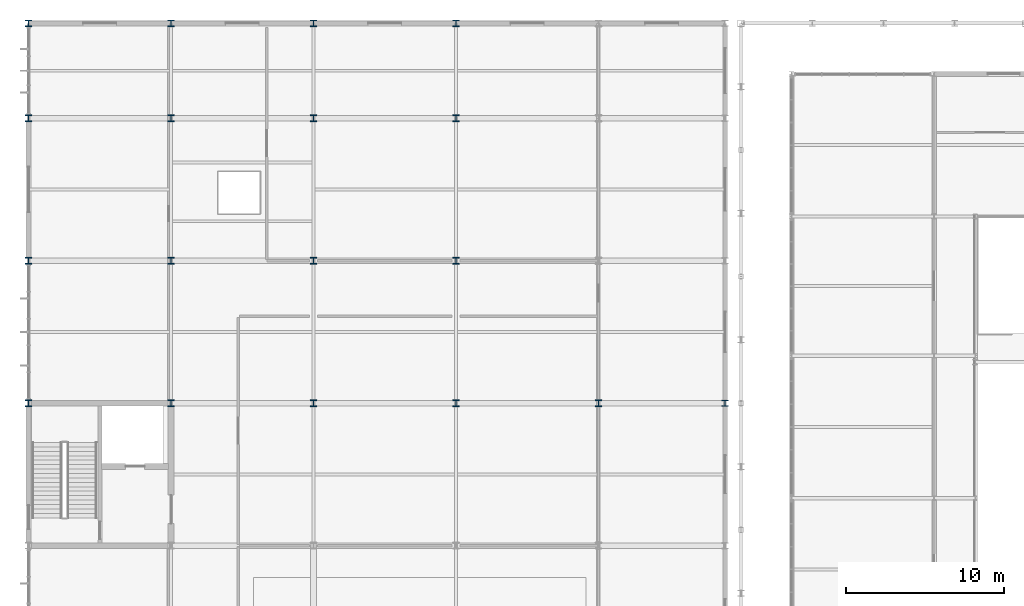
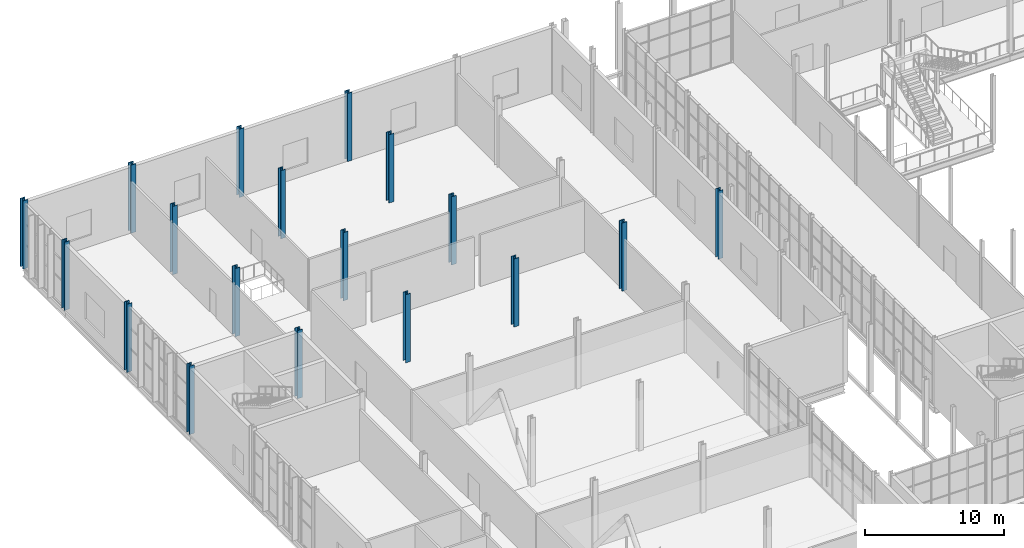
# One storey, part 10 of 159: 18 columns.
"""IFC4 building model written with IfcOpenShell, lengths in metres."""

from ifc_helpers import new_model, si_unit, direction, frame, origin, origin_2d, place, context, subcontext, project, spatial, i_section, extrude, material, material_profile, profile_set, type_object, element, save


model = new_model("IFC4")

# Units and contexts
model_context = context("Model", 3, precision=1e-05, world=origin(), true_north=direction((0.0, 1.0)))
body_context = subcontext(model_context, "Body", "Model", "MODEL_VIEW")
ifc_project = project(units=[si_unit("LENGTHUNIT", "METRE"), si_unit("AREAUNIT", "SQUARE_METRE"), si_unit("VOLUMEUNIT", "CUBIC_METRE"), si_unit("PLANEANGLEUNIT", "RADIAN"), si_unit("MASSUNIT", "GRAM", prefix="KILO")], contexts=[model_context])

# Site, building, storey
site_placement = place(None, origin())
site = spatial("IfcSite", under=ifc_project, at=site_placement, CompositionType="ELEMENT")
building_placement = place(site_placement, origin())
building = spatial("IfcBuilding", under=site, at=building_placement, Name="Cazmaro Siding Exhibition Halls", CompositionType="ELEMENT")
storey_placement = place(building_placement, frame((0.0, 0.0, 6.0)))
storey = spatial("IfcBuildingStorey", under=building, at=storey_placement, Name="L01", CompositionType="ELEMENT", Elevation=6.0)

# Columns
ifc_material_1 = material(Name="Steel ASTM A992 Grade 50", Category="steel")
ifc_material_profile_1 = material_profile(ifc_material_1, i_section(OverallWidth=0.406005859375, OverallDepth=0.416015625, WebThickness=0.030029296875, FlangeThickness=0.048095703125, at=origin_2d()), Name="W14X257")
ifc_profile_set_1 = profile_set([ifc_material_profile_1], Name="Steel ASTM A992 Grade 50")
column_type_1 = type_object("IfcColumnType", Name="C-01", PredefinedType="COLUMN", material=ifc_profile_set_1)
for number, where, z_axis, x_axis, name in (
    (1, (0.0, 100.0, 0.0), (0.0, 0.0, 1.0), (1.0, 0.0, 0.0), "Column C-01 COL-0907"),
    (2, (0.0, 109.0, 0.0), (0.0, 0.0, 1.0), (1.0, 0.0, 0.0), "Column C-01 COL-0912"),
    (3, (0.0, 118.0, 0.0), (0.0, 0.0, 1.0), (1.0, 0.0, 0.0), "Column C-01 COL-0916"),
    (4, (0.0, 124.0, 0.0), (0.0, 0.0, 1.0), (1.0, 0.0, 0.0), "Column C-01 COL-0919"),
    (5, (9.0, 100.0, 0.0), (0.0, 0.0, 1.0), (1.0, 0.0, 0.0), "Column C-01 COL-0947"),
    (6, (9.0, 109.0, 0.0), (0.0, 0.0, 1.0), (1.0, 0.0, 0.0), "Column C-01 COL-0952"),
    (7, (9.0, 118.0, 0.0), (0.0, 0.0, 1.0), (1.0, 0.0, 0.0), "Column C-01 COL-0956"),
    (8, (9.0, 124.0, 0.0), (0.0, 0.0, 1.0), (1.0, 0.0, 0.0), "Column C-01 COL-0959"),
    (9, (18.0, 100.0, 0.0), (0.0, 0.0, 1.0), (1.0, 0.0, 0.0), "Column C-01 COL-0987"),
    (10, (18.0, 109.0, 0.0), (0.0, 0.0, 1.0), (1.0, 0.0, 0.0), "Column C-01 COL-0992"),
    (11, (18.0, 118.0, 0.0), (0.0, 0.0, 1.0), (1.0, 0.0, 0.0), "Column C-01 COL-0996"),
    (12, (18.0, 124.0, 0.0), (0.0, 0.0, 1.0), (1.0, 0.0, 0.0), "Column C-01 COL-0999"),
    (13, (27.0, 100.0, 0.0), (0.0, 0.0, 1.0), (1.0, 0.0, 0.0), "Column C-01 COL-1027"),
    (14, (27.0, 109.0, 0.0), (0.0, 0.0, 1.0), (1.0, 0.0, 0.0), "Column C-01 COL-1032"),
    (15, (27.0, 118.0, 0.0), (0.0, 0.0, 1.0), (1.0, 0.0, 0.0), "Column C-01 COL-1036"),
    (16, (27.0, 124.0, 0.0), (0.0, 0.0, 1.0), (1.0, 0.0, 0.0), "Column C-01 COL-1039"),
    (17, (36.0, 100.0, 0.0), (0.0, 0.0, 1.0), (1.0, 0.0, 0.0), "Column C-01 COL-1062"),
):
    element("IfcColumn", number, at=place(storey_placement, frame(where, z_axis=z_axis, x_axis=x_axis)), inside=storey, type_object=column_type_1, Name=name, PredefinedType="COLUMN", context=body_context, shape_type="SweptSolid", body=[
        extrude(i_section(OverallWidth=0.406005859375, OverallDepth=0.416015625, WebThickness=0.030029296875, FlangeThickness=0.048095703125, at=origin_2d()), origin(), (0.0, 0.0, 1.0), 6.0),
    ])
ifc_material_2 = material(Name="Steel ASTM A992 Grade 50", Category="steel")
ifc_material_profile_2 = material_profile(ifc_material_2, i_section(OverallWidth=0.39208984375, OverallDepth=0.3759765625, WebThickness=0.01708984375, FlangeThickness=0.028076171875, at=origin_2d()), Name="W14X145")
ifc_profile_set_2 = profile_set([ifc_material_profile_2], Name="Steel ASTM A992 Grade 50")
column_type_2 = type_object("IfcColumnType", Name="C-03", PredefinedType="COLUMN", material=ifc_profile_set_2)
column_placement = place(storey_placement, frame((44.0, 100.0, 0.0), z_axis=(0.0, 0.0, 1.0), x_axis=(1.0, 0.0, 0.0)))
element("IfcColumn", 18, at=column_placement, inside=storey, type_object=column_type_2, Name="Column C-03 COL-1086", PredefinedType="COLUMN", context=body_context, shape_type="SweptSolid", body=[
    extrude(i_section(OverallWidth=0.39208984375, OverallDepth=0.3759765625, WebThickness=0.01708984375, FlangeThickness=0.028076171875, at=origin_2d()), origin(), (0.0, 0.0, 1.0), 6.0),
])

save(model, "model.ifc")
